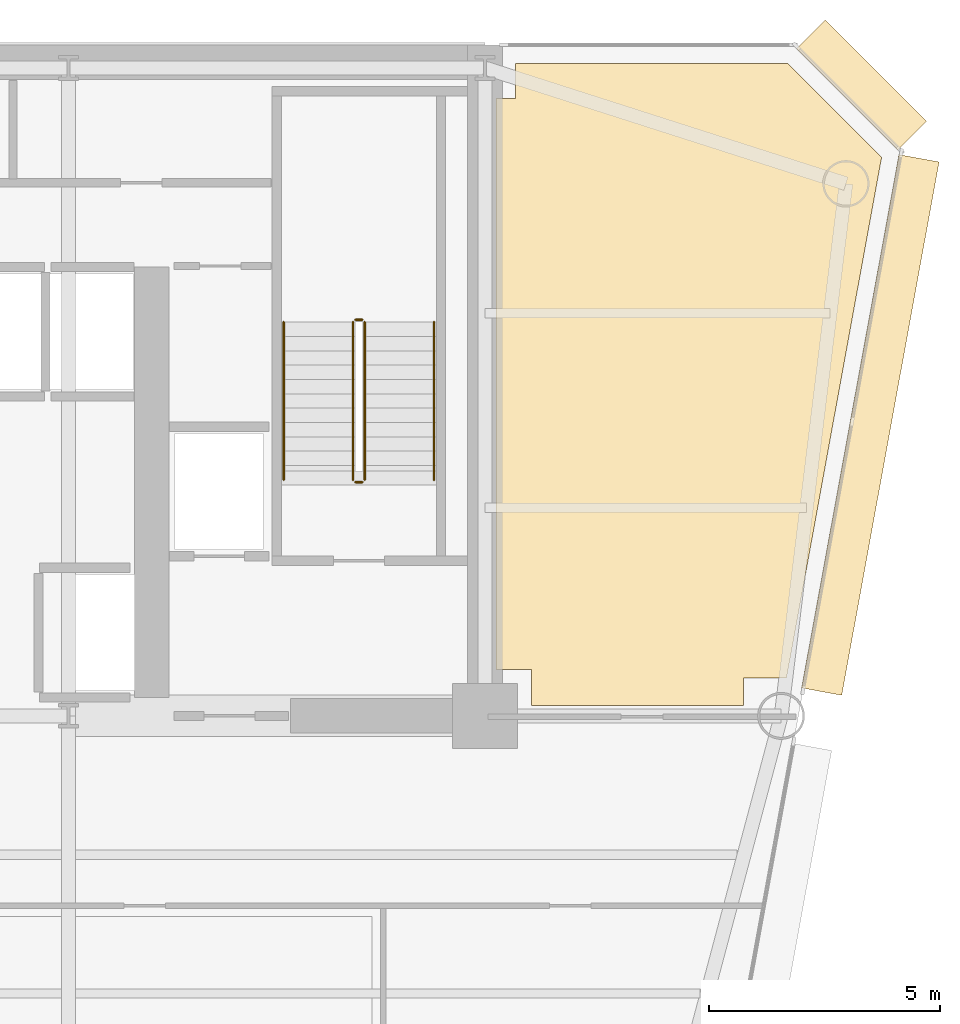
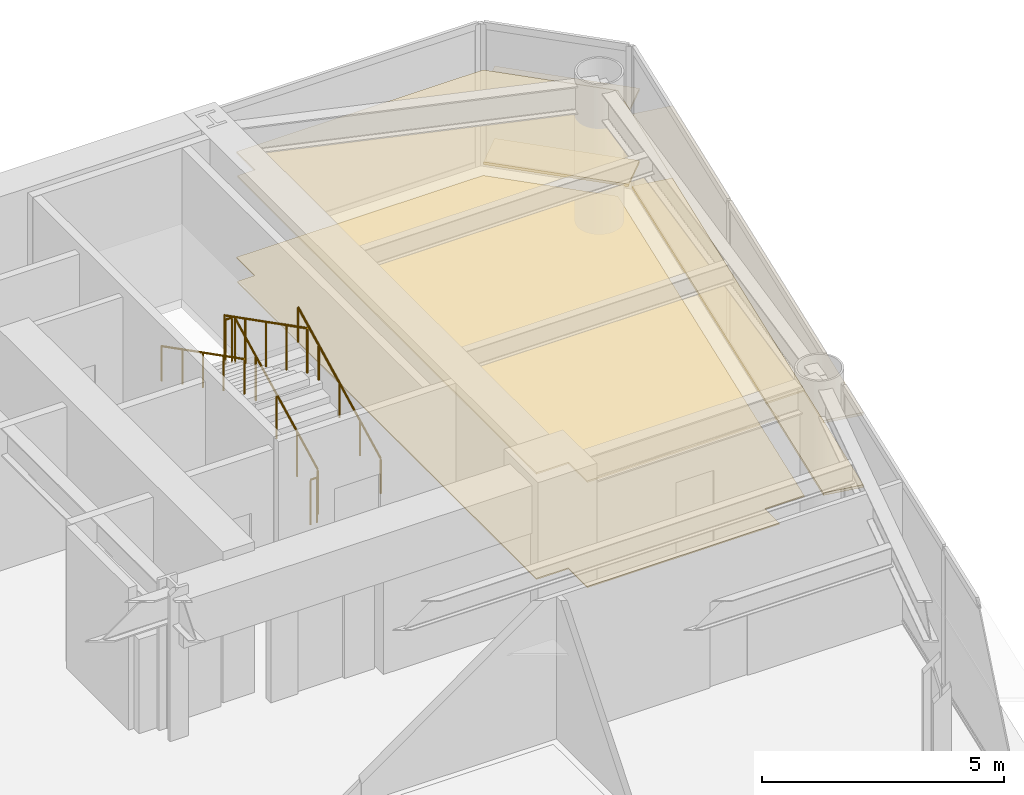
# One storey, part 15 of 15: 6 coverings, 6 railings.
"""IFC4 building model written with IfcOpenShell, lengths in metres."""

from ifc_helpers import new_model, si_unit, direction, frame, origin, origin_2d, place, context, subcontext, project, spatial, polyline, rectangle, circle, outline, extrude, source, transform, mapped, material, layer, layer_set, type_object, element, save


model = new_model("IFC4")

# Units and contexts
model_context = context("Model", 3, precision=1e-05, world=origin(), true_north=direction((0.0, 1.0)))
body_context = subcontext(model_context, "Body", "Model", "MODEL_VIEW")
ifc_project = project(units=[si_unit("LENGTHUNIT", "METRE"), si_unit("AREAUNIT", "SQUARE_METRE"), si_unit("VOLUMEUNIT", "CUBIC_METRE"), si_unit("PLANEANGLEUNIT", "RADIAN"), si_unit("MASSUNIT", "GRAM", prefix="KILO")], contexts=[model_context])

# Site, building, storey
site_placement = place(None, origin())
site = spatial("IfcSite", under=ifc_project, at=site_placement, CompositionType="ELEMENT")
building_placement = place(site_placement, origin())
building = spatial("IfcBuilding", under=site, at=building_placement, Name="Vaeldorn Concourse Tower", CompositionType="ELEMENT")
storey_placement = place(building_placement, frame((0.0, 0.0, 95.800048828125)))
storey = spatial("IfcBuildingStorey", under=building, at=storey_placement, Name="L24", CompositionType="ELEMENT", Elevation=95.800048828125)

# Coverings
ifc_material_1 = material(Name="Acoustic Mineral Fibre Board", Category="gypsum")
ifc_layer_1 = layer(ifc_material_1, 0.0400390625)
ifc_layer_set_1 = layer_set([ifc_layer_1], Name="Acoustic Mineral Fibre Board")
covering_type_1 = type_object("IfcCoveringType", Name="COV-CEIL-ACOUSTIC", PredefinedType="CEILING", material=ifc_layer_set_1)
covering_1_placement = place(storey_placement, frame((0.0, 0.0, 2.64990234375)))
element("IfcCovering", 1, at=covering_1_placement, inside=storey, type_object=covering_type_1, Name="Suspended Acoustic Ceiling L24-5", PredefinedType="CEILING", context=body_context, shape_type="SweptSolid", body=[
    extrude(outline(polyline([(54.659912109375, 49.840087890625), (54.659912109375, 50.60009765625), (60.5341796875, 50.60009765625), (62.56884765625, 48.5654296875), (60.51611328125, 37.320068359375), (59.580078125, 37.320068359375), (59.580078125, 36.719970703125), (55.0, 36.719970703125), (55.0, 37.5), (54.239990234375, 37.5), (54.239990234375, 49.840087890625), (54.659912109375, 49.840087890625)])), origin(), (0.0, 0.0, 1.0), 0.0400390625),
])
ifc_material_2 = material(Name="Honed Limestone Terrazzo Flooring", Category="masonry")
ifc_layer_2 = layer(ifc_material_2, 0.0400390625)
ifc_layer_set_2 = layer_set([ifc_layer_2], Name="Honed Limestone Terrazzo Flooring")
covering_type_2 = type_object("IfcCoveringType", Name="COV-FLOOR-STONE", PredefinedType="FLOORING", material=ifc_layer_set_2)
covering_2_placement = place(storey_placement, origin())
element("IfcCovering", 2, at=covering_2_placement, inside=storey, type_object=covering_type_2, Name="Floor Finish Covering L24-5", PredefinedType="FLOORING", context=body_context, shape_type="SweptSolid", body=[
    extrude(outline(polyline([(54.659912109375, 49.840087890625), (54.659912109375, 50.60009765625), (60.5341796875, 50.60009765625), (62.56884765625, 48.5654296875), (60.51611328125, 37.320068359375), (59.580078125, 37.320068359375), (59.580078125, 36.719970703125), (55.0, 36.719970703125), (55.0, 37.5), (54.239990234375, 37.5), (54.239990234375, 49.840087890625), (54.659912109375, 49.840087890625)])), origin(), (0.0, 0.0, 1.0), 0.030029296875),
])

# Railings
ifc_material_3 = material(Name="Anodised Bronze Aluminium", Category="aluminium")
railing_type_1 = type_object("IfcRailingType", Name="RL-STAIR-GUARD", PredefinedType="GUARDRAIL", material=ifc_material_3)
railing_1_placement = place(storey_placement, frame((51.39990234375, 41.60009765625, 0.158203125)))
element("IfcRailing", 3, at=railing_1_placement, inside=storey, type_object=railing_type_1, Name="L24 ST-2 stair guard 1", PredefinedType="GUARDRAIL", context=body_context, shape_type="SweptSolid", body=[
    extrude(circle(Radius=0.02392578125, at=origin_2d()), frame((0.0, 0.0, 1.1259765625), z_axis=(0.0, 0.890555807335, 0.454873997962), x_axis=(-1.0, 0.0, 0.0)), (0.0, 0.0, 1.0), 3.828857421875),
    extrude(circle(Radius=0.02099609375, at=origin_2d()), origin(), (0.0, 0.0, 1.0), 1.101806640625),
    extrude(circle(Radius=0.02099609375, at=origin_2d()), frame((0.0, 0.8525390625, 0.435546875)), (0.0, 0.0, 1.0), 1.101806640625),
    extrude(circle(Radius=0.02099609375, at=origin_2d()), frame((0.0, 1.705078125, 0.870849609375)), (0.0, 0.0, 1.0), 1.101806640625),
    extrude(circle(Radius=0.02099609375, at=origin_2d()), frame((0.0, 2.557373046875, 1.30615234375)), (0.0, 0.0, 1.0), 1.101806640625),
    extrude(circle(Radius=0.02099609375, at=origin_2d()), frame((0.0, 3.409912109375, 1.74169921875)), (0.0, 0.0, 1.0), 1.101806640625),
])
railing_2_placement = place(storey_placement, frame((51.35009765625, 45.06005859375, 1.89990234375)))
element("IfcRailing", 4, at=railing_2_placement, inside=storey, type_object=railing_type_1, Name="L24 ST-2 stair guard 2", PredefinedType="GUARDRAIL", context=body_context, shape_type="SweptSolid", body=[
    extrude(circle(Radius=0.02392578125, at=origin_2d()), frame((0.0, 0.0, 1.1259765625), z_axis=(-1.0, 0.0, 0.0), x_axis=(0.0, -1.0, 0.0)), (0.0, 0.0, 1.0), 0.150146484375),
    extrude(circle(Radius=0.02099609375, at=origin_2d()), origin(), (0.0, 0.0, 1.0), 1.101806640625),
    extrude(circle(Radius=0.02099609375, at=origin_2d()), frame((-0.150146484375, 0.0, 0.0)), (0.0, 0.0, 1.0), 1.101806640625),
])
railing_3_placement = place(storey_placement, frame((51.14990234375, 45.010009765625, 2.058349609375)))
element("IfcRailing", 5, at=railing_3_placement, inside=storey, type_object=railing_type_1, Name="L24 ST-2 stair guard 3", PredefinedType="GUARDRAIL", context=body_context, shape_type="SweptSolid", body=[
    extrude(circle(Radius=0.02392578125, at=origin_2d()), frame((0.0, 0.0, 1.1259765625), z_axis=(0.0, -0.890555807335, 0.454873997962), x_axis=(1.0, 0.0, 0.0)), (0.0, 0.0, 1.0), 3.828857421875),
    extrude(circle(Radius=0.02099609375, at=origin_2d()), origin(), (0.0, 0.0, 1.0), 1.101806640625),
    extrude(circle(Radius=0.02099609375, at=origin_2d()), frame((0.0, -0.8525390625, 0.435546875)), (0.0, 0.0, 1.0), 1.101806640625),
    extrude(circle(Radius=0.02099609375, at=origin_2d()), frame((0.0, -1.705078125, 0.870849609375)), (0.0, 0.0, 1.0), 1.101806640625),
    extrude(circle(Radius=0.02099609375, at=origin_2d()), frame((0.0, -2.557373046875, 1.30615234375)), (0.0, 0.0, 1.0), 1.101806640625),
    extrude(circle(Radius=0.02099609375, at=origin_2d()), frame((0.0, -3.409912109375, 1.74169921875)), (0.0, 0.0, 1.0), 1.101806640625),
])
railing_4_placement = place(storey_placement, frame((51.35009765625, 41.550048828125, 0.0)))
element("IfcRailing", 6, at=railing_4_placement, inside=storey, type_object=railing_type_1, Name="L24 ST-2 stair guard 4", PredefinedType="GUARDRAIL", context=body_context, shape_type="SweptSolid", body=[
    extrude(circle(Radius=0.02392578125, at=origin_2d()), frame((0.0, 0.0, 1.1259765625), z_axis=(-1.0, 0.0, 0.0), x_axis=(0.0, -1.0, 0.0)), (0.0, 0.0, 1.0), 0.150146484375),
    extrude(circle(Radius=0.02099609375, at=origin_2d()), origin(), (0.0, 0.0, 1.0), 1.101806640625),
    extrude(circle(Radius=0.02099609375, at=origin_2d()), frame((-0.150146484375, 0.0, 0.0)), (0.0, 0.0, 1.0), 1.101806640625),
])
railing_type_2 = type_object("IfcRailingType", Name="RL-STAIR-HANDRAIL", PredefinedType="HANDRAIL", material=ifc_material_3)
railing_5_placement = place(storey_placement, frame((52.89990234375, 41.60009765625, 0.158203125)))
element("IfcRailing", 7, at=railing_5_placement, inside=storey, type_object=railing_type_2, Name="L24 ST-2 stair handrail 1", PredefinedType="HANDRAIL", context=body_context, shape_type="SweptSolid", body=[
    extrude(circle(Radius=0.02392578125, at=origin_2d()), frame((0.0, 0.0, 0.8759765625), z_axis=(0.0, 0.890555807335, 0.454873997962), x_axis=(-1.0, 0.0, 0.0)), (0.0, 0.0, 1.0), 3.828857421875),
    extrude(circle(Radius=0.02099609375, at=origin_2d()), origin(), (0.0, 0.0, 1.0), 0.851806640625),
    extrude(circle(Radius=0.02099609375, at=origin_2d()), frame((0.0, 0.8525390625, 0.435546875)), (0.0, 0.0, 1.0), 0.851806640625),
    extrude(circle(Radius=0.02099609375, at=origin_2d()), frame((0.0, 1.705078125, 0.870849609375)), (0.0, 0.0, 1.0), 0.851806640625),
    extrude(circle(Radius=0.02099609375, at=origin_2d()), frame((0.0, 2.557373046875, 1.30615234375)), (0.0, 0.0, 1.0), 0.851806640625),
    extrude(circle(Radius=0.02099609375, at=origin_2d()), frame((0.0, 3.409912109375, 1.74169921875)), (0.0, 0.0, 1.0), 0.851806640625),
])
railing_6_placement = place(storey_placement, frame((49.64990234375, 45.010009765625, 2.058349609375)))
element("IfcRailing", 8, at=railing_6_placement, inside=storey, type_object=railing_type_2, Name="L24 ST-2 stair handrail 2", PredefinedType="HANDRAIL", context=body_context, shape_type="SweptSolid", body=[
    extrude(circle(Radius=0.02392578125, at=origin_2d()), frame((0.0, 0.0, 0.8759765625), z_axis=(0.0, -0.890555807335, 0.454873997962), x_axis=(1.0, 0.0, 0.0)), (0.0, 0.0, 1.0), 3.828857421875),
    extrude(circle(Radius=0.02099609375, at=origin_2d()), origin(), (0.0, 0.0, 1.0), 0.851806640625),
    extrude(circle(Radius=0.02099609375, at=origin_2d()), frame((0.0, -0.8525390625, 0.435546875)), (0.0, 0.0, 1.0), 0.851806640625),
    extrude(circle(Radius=0.02099609375, at=origin_2d()), frame((0.0, -1.705078125, 0.870849609375)), (0.0, 0.0, 1.0), 0.851806640625),
    extrude(circle(Radius=0.02099609375, at=origin_2d()), frame((0.0, -2.557373046875, 1.30615234375)), (0.0, 0.0, 1.0), 0.851806640625),
    extrude(circle(Radius=0.02099609375, at=origin_2d()), frame((0.0, -3.409912109375, 1.74169921875)), (0.0, 0.0, 1.0), 0.851806640625),
])

# Coverings
ifc_layer_3 = layer(ifc_material_3, 0.06494140625)
ifc_layer_set_3 = layer_set([ifc_layer_3], Name="Anodised Bronze Aluminium")
covering_type_3 = type_object("IfcCoveringType", Name="SD-BRONZE-SUNSHADE", PredefinedType="USERDEFINED", material=ifc_layer_set_3)
shared_shape_1 = source(origin(), body_context, "Body", "SweptSolid", [
    extrude(rectangle(XDim=3.0927734375, YDim=0.8798828125, at=origin_2d()), origin(), (0.0, 0.0, 1.0), 0.06494140625),
])
for number, where, z_axis, x_axis, name in (
    (9, (62.1328125, 50.1328125, 0.04736328125), (0.0, 0.0, 1.0), (-0.707106781187, 0.707106781187, 0.0), "Horizontal Bronze Sunshade L24-E08.1.1"),
    (10, (62.1328125, 50.1328125, 1.867431640625), (0.0, 0.0, 1.0), (-0.707106781187, 0.707106781187, 0.0), "Horizontal Bronze Sunshade L24-E08.1.2"),
):
    element("IfcCovering", number, at=place(storey_placement, frame(where, z_axis=z_axis, x_axis=x_axis)), inside=storey, type_object=covering_type_3, Name=name, ObjectType="SUNSHADE", PredefinedType="USERDEFINED", context=body_context, shape_type="MappedRepresentation", body=[
        mapped(shared_shape_1, transform((0.0, 0.0, 0.0), scale=1.0)),
    ])
shared_shape_2 = source(origin(), body_context, "Body", "SweptSolid", [
    extrude(rectangle(XDim=11.715087890625, YDim=0.8798828125, at=origin_2d()), origin(), (0.0, 0.0, 1.0), 0.06494140625),
])
for number, where, z_axis, x_axis, name in (
    (11, (62.327392578125, 42.787109375, 0.04736328125), (0.0, 0.0, 1.0), (0.179557731787, 0.983747437585, 0.0), "Horizontal Bronze Sunshade L24-E07.2.1"),
    (12, (62.327392578125, 42.787109375, 1.867431640625), (0.0, 0.0, 1.0), (0.179557731787, 0.983747437585, 0.0), "Horizontal Bronze Sunshade L24-E07.2.2"),
):
    element("IfcCovering", number, at=place(storey_placement, frame(where, z_axis=z_axis, x_axis=x_axis)), inside=storey, type_object=covering_type_3, Name=name, ObjectType="SUNSHADE", PredefinedType="USERDEFINED", context=body_context, shape_type="MappedRepresentation", body=[
        mapped(shared_shape_2, transform((0.0, 0.0, 0.0), scale=1.0)),
    ])

save(model, "model.ifc")
